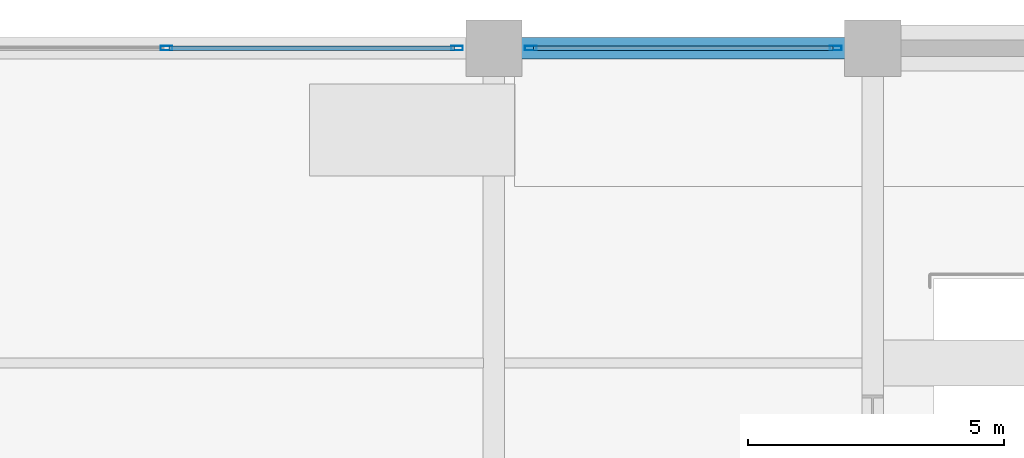
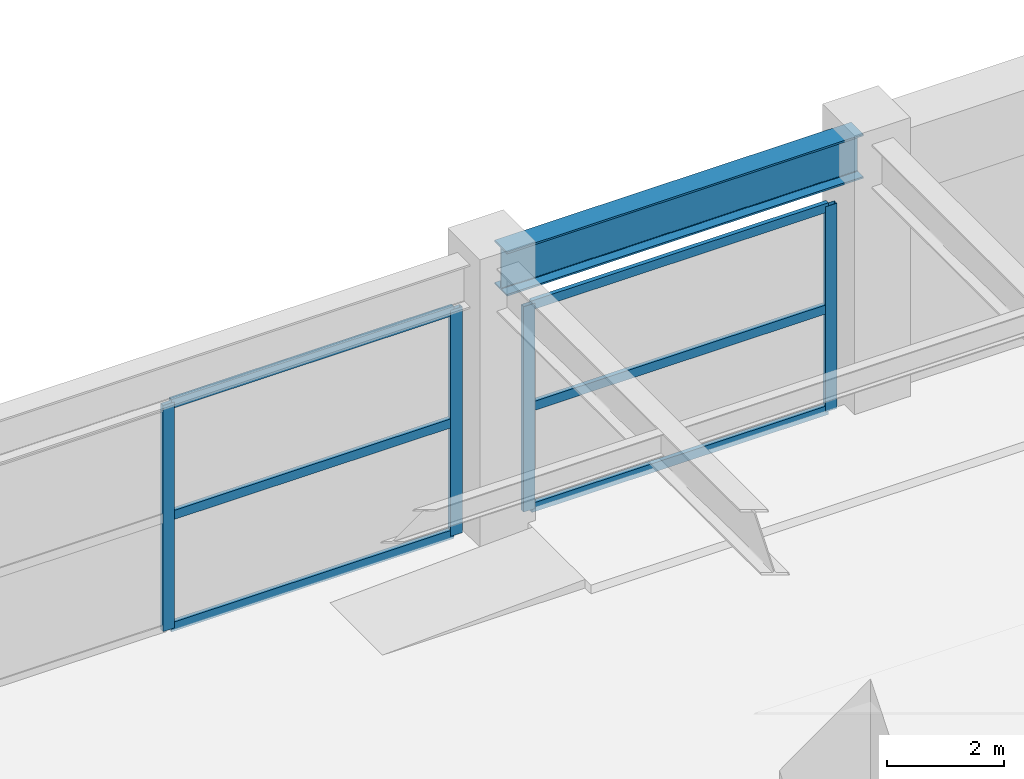
# One storey, part 17 of 41: 10 members, 1 beam, 2 elements without a shape of their own.
"""IFC4 building model written with IfcOpenShell, lengths in metres."""

from ifc_helpers import new_model, si_unit, direction, frame, origin, origin_2d, place, context, subcontext, project, spatial, hollow_rectangle, i_section, extrude, material, material_profile, profile_set, type_object, element, aggregate, save


model = new_model("IFC4")

# Units and contexts
model_context = context("Model", 3, precision=1e-05, world=origin(), true_north=direction((0.0, 1.0)))
body_context = subcontext(model_context, "Body", "Model", "MODEL_VIEW")
ifc_project = project(units=[si_unit("LENGTHUNIT", "METRE"), si_unit("AREAUNIT", "SQUARE_METRE"), si_unit("VOLUMEUNIT", "CUBIC_METRE"), si_unit("PLANEANGLEUNIT", "RADIAN"), si_unit("MASSUNIT", "GRAM", prefix="KILO")], contexts=[model_context])

# Site, building, storey
site_placement = place(None, origin())
site = spatial("IfcSite", under=ifc_project, at=site_placement, CompositionType="ELEMENT")
building_placement = place(site_placement, origin())
building = spatial("IfcBuilding", under=site, at=building_placement, Name="Kovane Verandah Tower", CompositionType="ELEMENT")
storey_placement = place(building_placement, origin())
storey = spatial("IfcBuildingStorey", under=building, at=storey_placement, Name="L00", CompositionType="ELEMENT", Elevation=0.0)

# Beam
ifc_material_1 = material(Name="Steel S460", Category="steel")
ifc_material_profile_1 = material_profile(ifc_material_1, i_section(OverallWidth=0.42041015625, OverallDepth=0.9208984375, WebThickness=0.021484375, FlangeThickness=0.03662109375, FilletRadius=0.024169921875, at=origin_2d()), Name="UB914x419x388")
ifc_profile_set_1 = profile_set([ifc_material_profile_1], Name="Steel S460")
beam_type = type_object("IfcBeamType", Name="BM-UB914x388", PredefinedType="BEAM", material=ifc_profile_set_1)
beam_placement = place(storey_placement, frame((21.780029296875, 56.5, 5.239501953125), z_axis=(1.0, 0.0, 0.0), x_axis=(0.0, 1.0, 0.0)))
element("IfcBeam", 1, at=beam_placement, inside=storey, type_object=beam_type, Name="L00 Podium Grid Girder X26", PredefinedType="BEAM", context=body_context, shape_type="SweptSolid", body=[
    extrude(i_section(OverallWidth=0.42041015625, OverallDepth=0.9208984375, WebThickness=0.021484375, FlangeThickness=0.03662109375, FilletRadius=0.024169921875, at=origin_2d()), origin(), (0.0, 0.0, 1.0), 7.0400390625),
])

# Curtain wall, members
ifc_material_2 = material(Name="Champagne Anodised Aluminium Frame with Low-E Clear Laminated Glass", Category="aluminium")
curtain_wall_type = type_object("IfcCurtainWallType", Name="CW-SYS-01-POD", PredefinedType="NOTDEFINED", material=ifc_material_2)
curtain_wall_1_placement = place(storey_placement, origin())
curtain_wall_1 = element("IfcCurtainWall", 2, at=curtain_wall_1_placement, inside=storey, type_object=curtain_wall_type, Name="Ground North Shopfront Curtain Wall Bay 2", PredefinedType="NOTDEFINED")
ifc_material_3 = material(Name="Champagne Anodised Aluminium 6063-T6", Category="aluminium")
ifc_material_profile_2 = material_profile(ifc_material_3, hollow_rectangle(XDim=0.0849609375, YDim=0.22998046875, WallThickness=0.00390625, at=origin_2d()), Name="AL85x230x4")
ifc_profile_set_2 = profile_set([ifc_material_profile_2], Name="Champagne Anodised Aluminium 6063-T6")
member_type_1 = type_object("IfcMemberType", Name="CW-MUL-85x230", PredefinedType="MULLION", material=ifc_profile_set_2)
member_1_placement = place(storey_placement, frame((20.8798828125, 56.5, 0.02001953125), z_axis=(0.0, 0.0, 1.0), x_axis=(0.0, 1.0, 0.0)))
member_1 = element("IfcMember", 3, at=member_1_placement, type_object=member_type_1, Name="Ground North Shopfront Curtain Wall Bay 2 Mullion 1", PredefinedType="MULLION", context=body_context, shape_type="SweptSolid", body=[
    extrude(hollow_rectangle(XDim=0.0849609375, YDim=0.22998046875, WallThickness=0.00390625, at=origin_2d()), origin(), (0.0, 0.0, 1.0), 4.718994140625),
])
member_2_placement = place(storey_placement, frame((15.199951171875, 56.5, 0.02001953125), z_axis=(0.0, 0.0, 1.0), x_axis=(0.0, 1.0, 0.0)))
member_2 = element("IfcMember", 4, at=member_2_placement, type_object=member_type_1, Name="Ground North Shopfront Curtain Wall Bay 2 Mullion 2", PredefinedType="MULLION", context=body_context, shape_type="SweptSolid", body=[
    extrude(hollow_rectangle(XDim=0.0849609375, YDim=0.22998046875, WallThickness=0.00390625, at=origin_2d()), origin(), (0.0, 0.0, 1.0), 4.718994140625),
])

curtain_wall_2_placement = place(storey_placement, origin())
curtain_wall_2 = element("IfcCurtainWall", 5, at=curtain_wall_2_placement, inside=storey, type_object=curtain_wall_type, Name="Ground North Shopfront Curtain Wall Bay 3", PredefinedType="NOTDEFINED")
member_3_placement = place(storey_placement, frame((28.280029296875, 56.5, 0.02001953125), z_axis=(0.0, 0.0, 1.0), x_axis=(0.0, 1.0, 0.0)))
member_3 = element("IfcMember", 6, at=member_3_placement, type_object=member_type_1, Name="Ground North Shopfront Curtain Wall Bay 3 Mullion 1", PredefinedType="MULLION", context=body_context, shape_type="SweptSolid", body=[
    extrude(hollow_rectangle(XDim=0.0849609375, YDim=0.22998046875, WallThickness=0.00390625, at=origin_2d()), origin(), (0.0, 0.0, 1.0), 4.2900390625),
])
member_4_placement = place(storey_placement, frame((22.320068359375, 56.5, 0.02001953125), z_axis=(0.0, 0.0, 1.0), x_axis=(0.0, 1.0, 0.0)))
member_4 = element("IfcMember", 7, at=member_4_placement, type_object=member_type_1, Name="Ground North Shopfront Curtain Wall Bay 3 Mullion 2", PredefinedType="MULLION", context=body_context, shape_type="SweptSolid", body=[
    extrude(hollow_rectangle(XDim=0.0849609375, YDim=0.22998046875, WallThickness=0.00390625, at=origin_2d()), origin(), (0.0, 0.0, 1.0), 4.2900390625),
])

# Member
ifc_material_profile_3 = material_profile(ifc_material_3, hollow_rectangle(XDim=0.0849609375, YDim=0.18994140625, WallThickness=0.00390625, at=origin_2d()), Name="AL85x190x4")
ifc_profile_set_3 = profile_set([ifc_material_profile_3], Name="Champagne Anodised Aluminium 6063-T6")
member_type_2 = type_object("IfcMemberType", Name="CW-TRN-85x190", PredefinedType="USERDEFINED", material=ifc_profile_set_3)
member_5_placement = place(storey_placement, frame((20.830078125, 56.5, 0.050048828125), z_axis=(-1.0, 0.0, 0.0), x_axis=(0.0, -1.0, 0.0)))
member_5 = element("IfcMember", 8, at=member_5_placement, type_object=member_type_2, Name="Ground North Shopfront Curtain Wall Bay 2 Transom TB Bay 1", ObjectType="TRANSOM", PredefinedType="USERDEFINED", context=body_context, shape_type="SweptSolid", body=[
    extrude(hollow_rectangle(XDim=0.0849609375, YDim=0.18994140625, WallThickness=0.00390625, at=origin_2d()), origin(), (0.0, 0.0, 1.0), 5.580078125),
])

member_6_placement = place(storey_placement, frame((20.830078125, 56.5, 2.37939453125), z_axis=(-1.0, 0.0, 0.0), x_axis=(0.0, -1.0, 0.0)))
member_6 = element("IfcMember", 9, at=member_6_placement, type_object=member_type_2, Name="Ground North Shopfront Curtain Wall Bay 2 Transom TM Bay 1", ObjectType="TRANSOM", PredefinedType="USERDEFINED", context=body_context, shape_type="SweptSolid", body=[
    extrude(hollow_rectangle(XDim=0.0849609375, YDim=0.18994140625, WallThickness=0.00390625, at=origin_2d()), origin(), (0.0, 0.0, 1.0), 5.580078125),
])

member_7_placement = place(storey_placement, frame((20.830078125, 56.5, 4.708984375), z_axis=(-1.0, 0.0, 0.0), x_axis=(0.0, -1.0, 0.0)))
member_7 = element("IfcMember", 10, at=member_7_placement, type_object=member_type_2, Name="Ground North Shopfront Curtain Wall Bay 2 Transom TT Bay 1", ObjectType="TRANSOM", PredefinedType="USERDEFINED", context=body_context, shape_type="SweptSolid", body=[
    extrude(hollow_rectangle(XDim=0.0849609375, YDim=0.18994140625, WallThickness=0.00390625, at=origin_2d()), origin(), (0.0, 0.0, 1.0), 5.580078125),
])

aggregate(curtain_wall_1, [member_1, member_2, member_5, member_6, member_7])

member_8_placement = place(storey_placement, frame((28.22998046875, 56.5, 0.050048828125), z_axis=(-1.0, 0.0, 0.0), x_axis=(0.0, -1.0, 0.0)))
member_8 = element("IfcMember", 11, at=member_8_placement, type_object=member_type_2, Name="Ground North Shopfront Curtain Wall Bay 3 Transom TB Bay 1", ObjectType="TRANSOM", PredefinedType="USERDEFINED", context=body_context, shape_type="SweptSolid", body=[
    extrude(hollow_rectangle(XDim=0.0849609375, YDim=0.18994140625, WallThickness=0.00390625, at=origin_2d()), origin(), (0.0, 0.0, 1.0), 5.85986328125),
])

member_9_placement = place(storey_placement, frame((28.22998046875, 56.5, 2.1650390625), z_axis=(-1.0, 0.0, 0.0), x_axis=(0.0, -1.0, 0.0)))
member_9 = element("IfcMember", 12, at=member_9_placement, type_object=member_type_2, Name="Ground North Shopfront Curtain Wall Bay 3 Transom TM Bay 1", ObjectType="TRANSOM", PredefinedType="USERDEFINED", context=body_context, shape_type="SweptSolid", body=[
    extrude(hollow_rectangle(XDim=0.0849609375, YDim=0.18994140625, WallThickness=0.00390625, at=origin_2d()), origin(), (0.0, 0.0, 1.0), 5.85986328125),
])

member_10_placement = place(storey_placement, frame((28.22998046875, 56.5, 4.280029296875), z_axis=(-1.0, 0.0, 0.0), x_axis=(0.0, -1.0, 0.0)))
member_10 = element("IfcMember", 13, at=member_10_placement, type_object=member_type_2, Name="Ground North Shopfront Curtain Wall Bay 3 Transom TT Bay 1", ObjectType="TRANSOM", PredefinedType="USERDEFINED", context=body_context, shape_type="SweptSolid", body=[
    extrude(hollow_rectangle(XDim=0.0849609375, YDim=0.18994140625, WallThickness=0.00390625, at=origin_2d()), origin(), (0.0, 0.0, 1.0), 5.85986328125),
])

aggregate(curtain_wall_2, [member_3, member_4, member_8, member_9, member_10])

save(model, "model.ifc")
